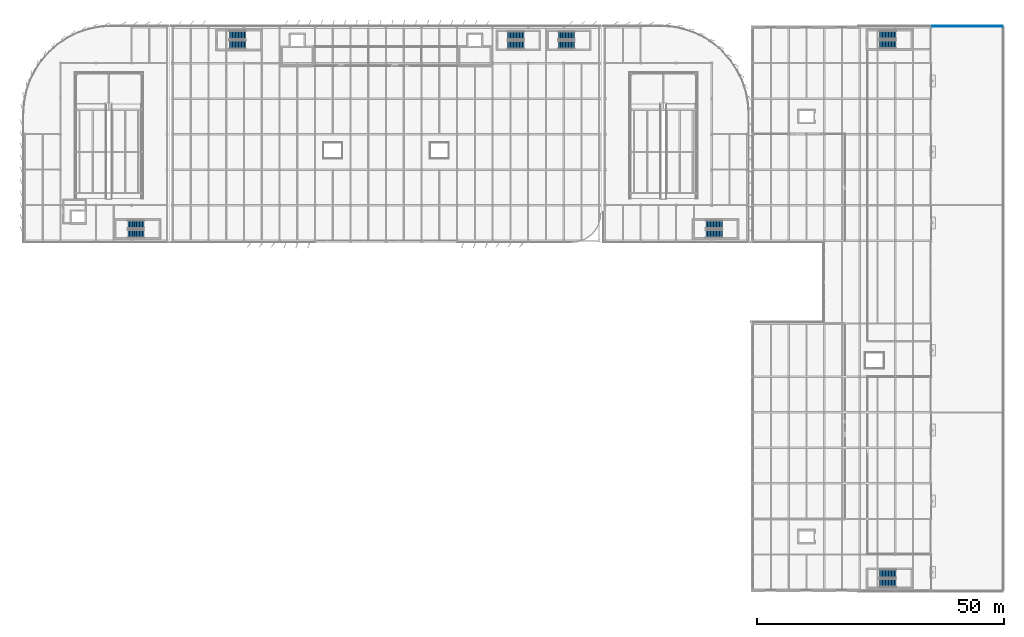
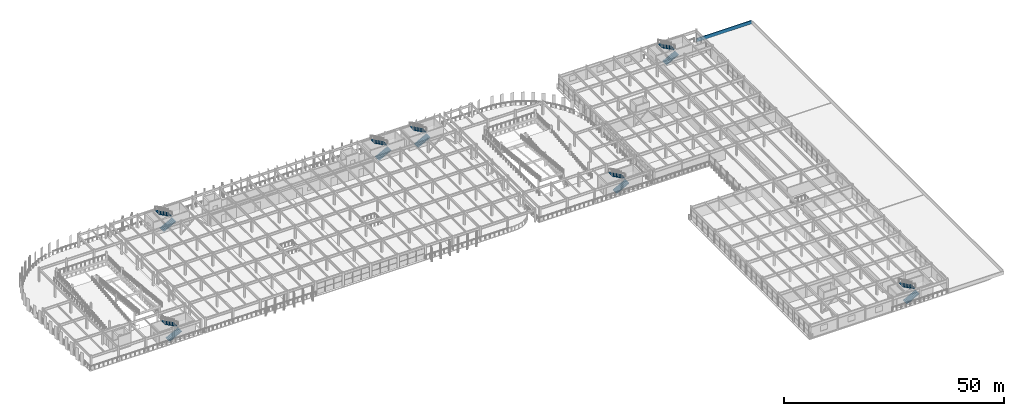
# One storey, part 57 of 80: 14 stair flights, 1 wall, 7 elements without a shape of their own.
"""IFC4 building model written with IfcOpenShell, lengths in metres."""

from ifc_helpers import new_model, si_unit, direction, frame, frame_2d, origin, place, context, subcontext, project, spatial, polyline, rectangle, outline, extrude, material, layer, layer_set, type_object, element, aggregate, save


model = new_model("IFC4")

# Units and contexts
model_context = context("Model", 3, precision=1e-05, world=origin(), true_north=direction((0.0, 1.0)))
body_context = subcontext(model_context, "Body", "Model", "MODEL_VIEW")
ifc_project = project(units=[si_unit("LENGTHUNIT", "METRE"), si_unit("AREAUNIT", "SQUARE_METRE"), si_unit("VOLUMEUNIT", "CUBIC_METRE"), si_unit("PLANEANGLEUNIT", "RADIAN"), si_unit("MASSUNIT", "GRAM", prefix="KILO")], contexts=[model_context])

# Site, building, storey
site_placement = place(None, origin())
site = spatial("IfcSite", under=ifc_project, at=site_placement, CompositionType="ELEMENT")
building_placement = place(site_placement, origin())
building = spatial("IfcBuilding", under=site, at=building_placement, Name="Vaelcorin Mobility Hub", CompositionType="ELEMENT")
storey_placement = place(building_placement, frame((0.0, 0.0, 9.300048828125)))
storey = spatial("IfcBuildingStorey", under=building, at=storey_placement, Name="L02", CompositionType="ELEMENT", Elevation=9.300048828125)

# Wall
ifc_material_1 = material(Name="Insulated exterior precast concrete C40/50", Category="concrete")
ifc_layer_1 = layer(ifc_material_1, 0.199951171875)
ifc_layer_set_1 = layer_set([ifc_layer_1], Name="Insulated exterior precast concrete C40/50")
wall_type = type_object("IfcWallType", Name="WL-PAR-200", PredefinedType="PARAPET", material=ifc_layer_set_1)
wall_placement = place(storey_placement, frame((189.85009765625, 120.25, 0.0), z_axis=(0.0, 0.0, 1.0), x_axis=(1.0, 0.0, 0.0)))
element("IfcWall", 1, at=wall_placement, inside=storey, type_object=wall_type, Name="L02 Exterior Wall PAR-V5E-N", PredefinedType="PARAPET", context=body_context, shape_type="SweptSolid", body=[
    extrude(rectangle(XDim=14.349853515625, YDim=0.199951171875, at=frame_2d((7.1748046875, 0.0))), origin(), (0.0, 0.0, 1.0), 0.949951171875),
])

# Stair, stair flights
ifc_material_2 = material(Name="Reinforced concrete f'c 45 MPa", Category="concrete")
stair_type_1 = type_object("IfcStairType", Name="STAIR-ST1", PredefinedType="HALF_TURN_STAIR", material=ifc_material_2)
stair_1_placement = place(storey_placement, origin())
stair_1 = element("IfcStair", 2, at=stair_1_placement, inside=storey, type_object=stair_type_1, Name="L02 Protected Exit Stair ST1", PredefinedType="HALF_TURN_STAIR")
ifc_layer_2 = layer(ifc_material_2, 0.2080078125)
ifc_layer_set_2 = layer_set([ifc_layer_2], Name="Reinforced concrete f'c 45 MPa")
stair_flight_type_1 = type_object("IfcStairFlightType", Name="FLT-ST1", PredefinedType="STRAIGHT", material=ifc_layer_set_2)
stair_flight_1_placement = place(storey_placement, frame((26.85009765625, 78.18994140625, 0.0), z_axis=(0.0, 0.0, 1.0), x_axis=(1.0, 0.0, 0.0)))
stair_flight_1 = element("IfcStairFlight", 3, at=stair_flight_1_placement, type_object=stair_flight_type_1, Name="ST1 flight 1", NumberOfRisers=12, NumberOfTreads=11, PredefinedType="STRAIGHT", RiserHeight=0.1625, TreadLength=0.3, context=body_context, shape_type="SweptSolid", body=[
    extrude(outline(polyline([(0.0, 0.0), (0.0, 0.16259765625), (0.300048828125, 0.16259765625), (0.300048828125, 0.324951171875), (0.60009765625, 0.324951171875), (0.60009765625, 0.487548828125), (0.89990234375, 0.487548828125), (0.89990234375, 0.64990234375), (1.199951171875, 0.64990234375), (1.199951171875, 0.8125), (1.5, 0.8125), (1.5, 0.97509765625), (1.800048828125, 0.97509765625), (1.800048828125, 1.137451171875), (2.10009765625, 1.137451171875), (2.10009765625, 1.300048828125), (2.39990234375, 1.300048828125), (2.39990234375, 1.46240234375), (2.699951171875, 1.46240234375), (2.699951171875, 1.625), (3.0, 1.625), (3.0, 1.78759765625), (3.300048828125, 1.78759765625), (3.300048828125, 1.949951171875), (3.300048828125, 1.605712890625), (0.335693359375, 0.0), (0.0, 0.0)])), frame((0.0, 0.83984375, 0.0), z_axis=(0.0, -1.0, 0.0), x_axis=(1.0, 0.0, 0.0)), (0.0, 0.0, 1.0), 1.679931640625),
])
stair_flight_2_placement = place(storey_placement, frame((30.14990234375, 80.070068359375, 1.949951171875), z_axis=(0.0, 0.0, 1.0), x_axis=(-1.0, 0.0, 0.0)))
stair_flight_2 = element("IfcStairFlight", 4, at=stair_flight_2_placement, type_object=stair_flight_type_1, Name="ST1 flight 2", NumberOfRisers=12, NumberOfTreads=11, PredefinedType="STRAIGHT", RiserHeight=0.1625, TreadLength=0.3, context=body_context, shape_type="SweptSolid", body=[
    extrude(outline(polyline([(0.0, 0.0), (0.0, 0.16259765625), (0.300048828125, 0.16259765625), (0.300048828125, 0.324951171875), (0.60009765625, 0.324951171875), (0.60009765625, 0.487548828125), (0.89990234375, 0.487548828125), (0.89990234375, 0.64990234375), (1.199951171875, 0.64990234375), (1.199951171875, 0.8125), (1.5, 0.8125), (1.5, 0.97509765625), (1.800048828125, 0.97509765625), (1.800048828125, 1.137451171875), (2.10009765625, 1.137451171875), (2.10009765625, 1.300048828125), (2.39990234375, 1.300048828125), (2.39990234375, 1.46240234375), (2.699951171875, 1.46240234375), (2.699951171875, 1.625), (3.0, 1.625), (3.0, 1.78759765625), (3.300048828125, 1.78759765625), (3.300048828125, 1.949951171875), (3.300048828125, 1.605712890625), (0.335693359375, 0.0), (0.0, 0.0)])), frame((0.0, 0.83984375, 0.0), z_axis=(0.0, -1.0, 0.0), x_axis=(1.0, 0.0, 0.0)), (0.0, 0.0, 1.0), 1.679931640625),
])
aggregate(stair_1, [stair_flight_1, stair_flight_2])

stair_type_2 = type_object("IfcStairType", Name="STAIR-ST2", PredefinedType="HALF_TURN_STAIR", material=ifc_material_2)
stair_2_placement = place(storey_placement, origin())
stair_2 = element("IfcStair", 5, at=stair_2_placement, inside=storey, type_object=stair_type_2, Name="L02 Protected Exit Stair ST2", PredefinedType="HALF_TURN_STAIR")
ifc_layer_3 = layer(ifc_material_2, 0.216064453125)
ifc_layer_set_3 = layer_set([ifc_layer_3], Name="Reinforced concrete f'c 45 MPa")
stair_flight_type_2 = type_object("IfcStairFlightType", Name="FLT-ST2", PredefinedType="STRAIGHT", material=ifc_layer_set_3)
stair_flight_3_placement = place(storey_placement, frame((144.050048828125, 78.18994140625, 0.0), z_axis=(0.0, 0.0, 1.0), x_axis=(1.0, 0.0, 0.0)))
stair_flight_3 = element("IfcStairFlight", 6, at=stair_flight_3_placement, type_object=stair_flight_type_2, Name="ST2 flight 1", NumberOfRisers=12, NumberOfTreads=11, PredefinedType="STRAIGHT", RiserHeight=0.1625, TreadLength=0.3, context=body_context, shape_type="SweptSolid", body=[
    extrude(outline(polyline([(0.0, 0.0), (0.0, 0.16259765625), (0.300048828125, 0.16259765625), (0.300048828125, 0.324951171875), (0.60009765625, 0.324951171875), (0.60009765625, 0.487548828125), (0.89990234375, 0.487548828125), (0.89990234375, 0.64990234375), (1.199951171875, 0.64990234375), (1.199951171875, 0.8125), (1.5, 0.8125), (1.5, 0.97509765625), (1.800048828125, 0.97509765625), (1.800048828125, 1.137451171875), (2.10009765625, 1.137451171875), (2.10009765625, 1.300048828125), (2.39990234375, 1.300048828125), (2.39990234375, 1.46240234375), (2.699951171875, 1.46240234375), (2.699951171875, 1.625), (3.0, 1.625), (3.0, 1.78759765625), (3.300048828125, 1.78759765625), (3.300048828125, 1.949951171875), (3.300048828125, 1.605712890625), (0.335693359375, 0.0), (0.0, 0.0)])), frame((0.0, 0.83984375, 0.0), z_axis=(0.0, -1.0, 0.0), x_axis=(1.0, 0.0, 0.0)), (0.0, 0.0, 1.0), 1.679931640625),
])
stair_flight_4_placement = place(storey_placement, frame((147.35009765625, 80.070068359375, 1.949951171875), z_axis=(0.0, 0.0, 1.0), x_axis=(-1.0, 0.0, 0.0)))
stair_flight_4 = element("IfcStairFlight", 7, at=stair_flight_4_placement, type_object=stair_flight_type_2, Name="ST2 flight 2", NumberOfRisers=12, NumberOfTreads=11, PredefinedType="STRAIGHT", RiserHeight=0.1625, TreadLength=0.3, context=body_context, shape_type="SweptSolid", body=[
    extrude(outline(polyline([(0.0, 0.0), (0.0, 0.16259765625), (0.300048828125, 0.16259765625), (0.300048828125, 0.324951171875), (0.60009765625, 0.324951171875), (0.60009765625, 0.487548828125), (0.89990234375, 0.487548828125), (0.89990234375, 0.64990234375), (1.199951171875, 0.64990234375), (1.199951171875, 0.8125), (1.5, 0.8125), (1.5, 0.97509765625), (1.800048828125, 0.97509765625), (1.800048828125, 1.137451171875), (2.10009765625, 1.137451171875), (2.10009765625, 1.300048828125), (2.39990234375, 1.300048828125), (2.39990234375, 1.46240234375), (2.699951171875, 1.46240234375), (2.699951171875, 1.625), (3.0, 1.625), (3.0, 1.78759765625), (3.300048828125, 1.78759765625), (3.300048828125, 1.949951171875), (3.300048828125, 1.605712890625), (0.335693359375, 0.0), (0.0, 0.0)])), frame((0.0, 0.83984375, 0.0), z_axis=(0.0, -1.0, 0.0), x_axis=(1.0, 0.0, 0.0)), (0.0, 0.0, 1.0), 1.679931640625),
])
aggregate(stair_2, [stair_flight_3, stair_flight_4])

stair_type_3 = type_object("IfcStairType", Name="STAIR-ST3", PredefinedType="HALF_TURN_STAIR", material=ifc_material_2)
stair_3_placement = place(storey_placement, origin())
stair_3 = element("IfcStair", 8, at=stair_3_placement, inside=storey, type_object=stair_type_3, Name="L02 Protected Exit Stair ST3", PredefinedType="HALF_TURN_STAIR")
ifc_layer_4 = layer(ifc_material_2, 0.22412109375)
ifc_layer_set_4 = layer_set([ifc_layer_4], Name="Reinforced concrete f'c 45 MPa")
stair_flight_type_3 = type_object("IfcStairFlightType", Name="FLT-ST3", PredefinedType="STRAIGHT", material=ifc_layer_set_4)
stair_flight_5_placement = place(storey_placement, frame((47.449951171875, 116.52001953125, 0.0), z_axis=(0.0, 0.0, 1.0), x_axis=(1.0, 0.0, 0.0)))
stair_flight_5 = element("IfcStairFlight", 9, at=stair_flight_5_placement, type_object=stair_flight_type_3, Name="ST3 flight 1", NumberOfRisers=12, NumberOfTreads=11, PredefinedType="STRAIGHT", RiserHeight=0.1625, TreadLength=0.3, context=body_context, shape_type="SweptSolid", body=[
    extrude(outline(polyline([(0.0, 0.0), (0.0, 0.16259765625), (0.300048828125, 0.16259765625), (0.300048828125, 0.324951171875), (0.60009765625, 0.324951171875), (0.60009765625, 0.487548828125), (0.89990234375, 0.487548828125), (0.89990234375, 0.64990234375), (1.199951171875, 0.64990234375), (1.199951171875, 0.8125), (1.5, 0.8125), (1.5, 0.97509765625), (1.800048828125, 0.97509765625), (1.800048828125, 1.137451171875), (2.10009765625, 1.137451171875), (2.10009765625, 1.300048828125), (2.39990234375, 1.300048828125), (2.39990234375, 1.46240234375), (2.699951171875, 1.46240234375), (2.699951171875, 1.625), (3.0, 1.625), (3.0, 1.78759765625), (3.300048828125, 1.78759765625), (3.300048828125, 1.949951171875), (3.300048828125, 1.605712890625), (0.335693359375, 0.0), (0.0, 0.0)])), frame((0.0, 0.8701171875, 0.0), z_axis=(0.0, -1.0, 0.0), x_axis=(1.0, 0.0, 0.0)), (0.0, 0.0, 1.0), 1.739990234375),
])
stair_flight_6_placement = place(storey_placement, frame((50.75, 118.4599609375, 1.949951171875), z_axis=(0.0, 0.0, 1.0), x_axis=(-1.0, 0.0, 0.0)))
stair_flight_6 = element("IfcStairFlight", 10, at=stair_flight_6_placement, type_object=stair_flight_type_3, Name="ST3 flight 2", NumberOfRisers=12, NumberOfTreads=11, PredefinedType="STRAIGHT", RiserHeight=0.1625, TreadLength=0.3, context=body_context, shape_type="SweptSolid", body=[
    extrude(outline(polyline([(0.0, 0.0), (0.0, 0.16259765625), (0.300048828125, 0.16259765625), (0.300048828125, 0.324951171875), (0.60009765625, 0.324951171875), (0.60009765625, 0.487548828125), (0.89990234375, 0.487548828125), (0.89990234375, 0.64990234375), (1.199951171875, 0.64990234375), (1.199951171875, 0.8125), (1.5, 0.8125), (1.5, 0.97509765625), (1.800048828125, 0.97509765625), (1.800048828125, 1.137451171875), (2.10009765625, 1.137451171875), (2.10009765625, 1.300048828125), (2.39990234375, 1.300048828125), (2.39990234375, 1.46240234375), (2.699951171875, 1.46240234375), (2.699951171875, 1.625), (3.0, 1.625), (3.0, 1.78759765625), (3.300048828125, 1.78759765625), (3.300048828125, 1.949951171875), (3.300048828125, 1.605712890625), (0.335693359375, 0.0), (0.0, 0.0)])), frame((0.0, 0.8701171875, 0.0), z_axis=(0.0, -1.0, 0.0), x_axis=(1.0, 0.0, 0.0)), (0.0, 0.0, 1.0), 1.739990234375),
])
aggregate(stair_3, [stair_flight_5, stair_flight_6])

stair_type_4 = type_object("IfcStairType", Name="STAIR-ST4", PredefinedType="HALF_TURN_STAIR", material=ifc_material_2)
stair_4_placement = place(storey_placement, origin())
stair_4 = element("IfcStair", 11, at=stair_4_placement, inside=storey, type_object=stair_type_4, Name="L02 Protected Exit Stair ST4", PredefinedType="HALF_TURN_STAIR")
ifc_layer_5 = layer(ifc_material_2, 0.23193359375)
ifc_layer_set_5 = layer_set([ifc_layer_5], Name="Reinforced concrete f'c 45 MPa")
stair_flight_type_4 = type_object("IfcStairFlightType", Name="FLT-ST4", PredefinedType="STRAIGHT", material=ifc_layer_set_5)
stair_flight_7_placement = place(storey_placement, frame((103.85009765625, 116.489990234375, 0.0), z_axis=(0.0, 0.0, 1.0), x_axis=(1.0, 0.0, 0.0)))
stair_flight_7 = element("IfcStairFlight", 12, at=stair_flight_7_placement, type_object=stair_flight_type_4, Name="ST4 flight 1", NumberOfRisers=12, NumberOfTreads=11, PredefinedType="STRAIGHT", RiserHeight=0.1625, TreadLength=0.3, context=body_context, shape_type="SweptSolid", body=[
    extrude(outline(polyline([(0.0, 0.0), (0.0, 0.16259765625), (0.300048828125, 0.16259765625), (0.300048828125, 0.324951171875), (0.60009765625, 0.324951171875), (0.60009765625, 0.487548828125), (0.89990234375, 0.487548828125), (0.89990234375, 0.64990234375), (1.199951171875, 0.64990234375), (1.199951171875, 0.8125), (1.5, 0.8125), (1.5, 0.97509765625), (1.800048828125, 0.97509765625), (1.800048828125, 1.137451171875), (2.10009765625, 1.137451171875), (2.10009765625, 1.300048828125), (2.39990234375, 1.300048828125), (2.39990234375, 1.46240234375), (2.699951171875, 1.46240234375), (2.699951171875, 1.625), (3.0, 1.625), (3.0, 1.78759765625), (3.300048828125, 1.78759765625), (3.300048828125, 1.949951171875), (3.300048828125, 1.605712890625), (0.335693359375, 0.0), (0.0, 0.0)])), frame((0.0, 0.83984375, 0.0), z_axis=(0.0, -1.0, 0.0), x_axis=(1.0, 0.0, 0.0)), (0.0, 0.0, 1.0), 1.679931640625),
])
stair_flight_8_placement = place(storey_placement, frame((107.14990234375, 118.3701171875, 1.949951171875), z_axis=(0.0, 0.0, 1.0), x_axis=(-1.0, 0.0, 0.0)))
stair_flight_8 = element("IfcStairFlight", 13, at=stair_flight_8_placement, type_object=stair_flight_type_4, Name="ST4 flight 2", NumberOfRisers=12, NumberOfTreads=11, PredefinedType="STRAIGHT", RiserHeight=0.1625, TreadLength=0.3, context=body_context, shape_type="SweptSolid", body=[
    extrude(outline(polyline([(0.0, 0.0), (0.0, 0.16259765625), (0.300048828125, 0.16259765625), (0.300048828125, 0.324951171875), (0.60009765625, 0.324951171875), (0.60009765625, 0.487548828125), (0.89990234375, 0.487548828125), (0.89990234375, 0.64990234375), (1.199951171875, 0.64990234375), (1.199951171875, 0.8125), (1.5, 0.8125), (1.5, 0.97509765625), (1.800048828125, 0.97509765625), (1.800048828125, 1.137451171875), (2.10009765625, 1.137451171875), (2.10009765625, 1.300048828125), (2.39990234375, 1.300048828125), (2.39990234375, 1.46240234375), (2.699951171875, 1.46240234375), (2.699951171875, 1.625), (3.0, 1.625), (3.0, 1.78759765625), (3.300048828125, 1.78759765625), (3.300048828125, 1.949951171875), (3.300048828125, 1.605712890625), (0.335693359375, 0.0), (0.0, 0.0)])), frame((0.0, 0.83984375, 0.0), z_axis=(0.0, -1.0, 0.0), x_axis=(1.0, 0.0, 0.0)), (0.0, 0.0, 1.0), 1.679931640625),
])
aggregate(stair_4, [stair_flight_7, stair_flight_8])

stair_type_5 = type_object("IfcStairType", Name="STAIR-ST5", PredefinedType="HALF_TURN_STAIR", material=ifc_material_2)
stair_5_placement = place(storey_placement, origin())
stair_5 = element("IfcStair", 14, at=stair_5_placement, inside=storey, type_object=stair_type_5, Name="L02 Protected Exit Stair ST5", PredefinedType="HALF_TURN_STAIR")
ifc_layer_6 = layer(ifc_material_2, 0.239990234375)
ifc_layer_set_6 = layer_set([ifc_layer_6], Name="Reinforced concrete f'c 45 MPa")
stair_flight_type_5 = type_object("IfcStairFlightType", Name="FLT-ST5", PredefinedType="STRAIGHT", material=ifc_layer_set_6)
stair_flight_9_placement = place(storey_placement, frame((179.25, 7.39990234375, 0.0), z_axis=(0.0, 0.0, 1.0), x_axis=(1.0, 0.0, 0.0)))
stair_flight_9 = element("IfcStairFlight", 15, at=stair_flight_9_placement, type_object=stair_flight_type_5, Name="ST5 flight 1", NumberOfRisers=12, NumberOfTreads=11, PredefinedType="STRAIGHT", RiserHeight=0.1625, TreadLength=0.3, context=body_context, shape_type="SweptSolid", body=[
    extrude(outline(polyline([(0.0, 0.0), (0.0, 0.16259765625), (0.300048828125, 0.16259765625), (0.300048828125, 0.324951171875), (0.60009765625, 0.324951171875), (0.60009765625, 0.487548828125), (0.89990234375, 0.487548828125), (0.89990234375, 0.64990234375), (1.199951171875, 0.64990234375), (1.199951171875, 0.8125), (1.5, 0.8125), (1.5, 0.97509765625), (1.800048828125, 0.97509765625), (1.800048828125, 1.137451171875), (2.10009765625, 1.137451171875), (2.10009765625, 1.300048828125), (2.39990234375, 1.300048828125), (2.39990234375, 1.46240234375), (2.699951171875, 1.46240234375), (2.699951171875, 1.625), (3.0, 1.625), (3.0, 1.78759765625), (3.300048828125, 1.78759765625), (3.300048828125, 1.949951171875), (3.300048828125, 1.605712890625), (0.335693359375, 0.0), (0.0, 0.0)])), frame((0.0, 0.85009765625, 0.0), z_axis=(0.0, -1.0, 0.0), x_axis=(1.0, 0.0, 0.0)), (0.0, 0.0, 1.0), 1.699951171875),
])
stair_flight_10_placement = place(storey_placement, frame((182.550048828125, 9.300048828125, 1.949951171875), z_axis=(0.0, 0.0, 1.0), x_axis=(-1.0, 0.0, 0.0)))
stair_flight_10 = element("IfcStairFlight", 16, at=stair_flight_10_placement, type_object=stair_flight_type_5, Name="ST5 flight 2", NumberOfRisers=12, NumberOfTreads=11, PredefinedType="STRAIGHT", RiserHeight=0.1625, TreadLength=0.3, context=body_context, shape_type="SweptSolid", body=[
    extrude(outline(polyline([(0.0, 0.0), (0.0, 0.16259765625), (0.300048828125, 0.16259765625), (0.300048828125, 0.324951171875), (0.60009765625, 0.324951171875), (0.60009765625, 0.487548828125), (0.89990234375, 0.487548828125), (0.89990234375, 0.64990234375), (1.199951171875, 0.64990234375), (1.199951171875, 0.8125), (1.5, 0.8125), (1.5, 0.97509765625), (1.800048828125, 0.97509765625), (1.800048828125, 1.137451171875), (2.10009765625, 1.137451171875), (2.10009765625, 1.300048828125), (2.39990234375, 1.300048828125), (2.39990234375, 1.46240234375), (2.699951171875, 1.46240234375), (2.699951171875, 1.625), (3.0, 1.625), (3.0, 1.78759765625), (3.300048828125, 1.78759765625), (3.300048828125, 1.949951171875), (3.300048828125, 1.605712890625), (0.335693359375, 0.0), (0.0, 0.0)])), frame((0.0, 0.85009765625, 0.0), z_axis=(0.0, -1.0, 0.0), x_axis=(1.0, 0.0, 0.0)), (0.0, 0.0, 1.0), 1.699951171875),
])
aggregate(stair_5, [stair_flight_9, stair_flight_10])

stair_type_6 = type_object("IfcStairType", Name="STAIR-ST6", PredefinedType="HALF_TURN_STAIR", material=ifc_material_2)
stair_6_placement = place(storey_placement, origin())
stair_6 = element("IfcStair", 17, at=stair_6_placement, inside=storey, type_object=stair_type_6, Name="L02 Protected Exit Stair ST6", PredefinedType="HALF_TURN_STAIR")
ifc_layer_7 = layer(ifc_material_2, 0.248046875)
ifc_layer_set_7 = layer_set([ifc_layer_7], Name="Reinforced concrete f'c 45 MPa")
stair_flight_type_6 = type_object("IfcStairFlightType", Name="FLT-ST6", PredefinedType="STRAIGHT", material=ifc_layer_set_7)
stair_flight_11_placement = place(storey_placement, frame((179.25, 116.60009765625, 0.0), z_axis=(0.0, 0.0, 1.0), x_axis=(1.0, 0.0, 0.0)))
stair_flight_11 = element("IfcStairFlight", 18, at=stair_flight_11_placement, type_object=stair_flight_type_6, Name="ST6 flight 1", NumberOfRisers=12, NumberOfTreads=11, PredefinedType="STRAIGHT", RiserHeight=0.1625, TreadLength=0.3, context=body_context, shape_type="SweptSolid", body=[
    extrude(outline(polyline([(0.0, 0.0), (0.0, 0.16259765625), (0.300048828125, 0.16259765625), (0.300048828125, 0.324951171875), (0.60009765625, 0.324951171875), (0.60009765625, 0.487548828125), (0.89990234375, 0.487548828125), (0.89990234375, 0.64990234375), (1.199951171875, 0.64990234375), (1.199951171875, 0.8125), (1.5, 0.8125), (1.5, 0.97509765625), (1.800048828125, 0.97509765625), (1.800048828125, 1.137451171875), (2.10009765625, 1.137451171875), (2.10009765625, 1.300048828125), (2.39990234375, 1.300048828125), (2.39990234375, 1.46240234375), (2.699951171875, 1.46240234375), (2.699951171875, 1.625), (3.0, 1.625), (3.0, 1.78759765625), (3.300048828125, 1.78759765625), (3.300048828125, 1.949951171875), (3.300048828125, 1.605712890625), (0.335693359375, 0.0), (0.0, 0.0)])), frame((0.0, 0.85009765625, 0.0), z_axis=(0.0, -1.0, 0.0), x_axis=(1.0, 0.0, 0.0)), (0.0, 0.0, 1.0), 1.699951171875),
])
stair_flight_12_placement = place(storey_placement, frame((182.550048828125, 118.5, 1.949951171875), z_axis=(0.0, 0.0, 1.0), x_axis=(-1.0, 0.0, 0.0)))
stair_flight_12 = element("IfcStairFlight", 19, at=stair_flight_12_placement, type_object=stair_flight_type_6, Name="ST6 flight 2", NumberOfRisers=12, NumberOfTreads=11, PredefinedType="STRAIGHT", RiserHeight=0.1625, TreadLength=0.3, context=body_context, shape_type="SweptSolid", body=[
    extrude(outline(polyline([(0.0, 0.0), (0.0, 0.16259765625), (0.300048828125, 0.16259765625), (0.300048828125, 0.324951171875), (0.60009765625, 0.324951171875), (0.60009765625, 0.487548828125), (0.89990234375, 0.487548828125), (0.89990234375, 0.64990234375), (1.199951171875, 0.64990234375), (1.199951171875, 0.8125), (1.5, 0.8125), (1.5, 0.97509765625), (1.800048828125, 0.97509765625), (1.800048828125, 1.137451171875), (2.10009765625, 1.137451171875), (2.10009765625, 1.300048828125), (2.39990234375, 1.300048828125), (2.39990234375, 1.46240234375), (2.699951171875, 1.46240234375), (2.699951171875, 1.625), (3.0, 1.625), (3.0, 1.78759765625), (3.300048828125, 1.78759765625), (3.300048828125, 1.949951171875), (3.300048828125, 1.605712890625), (0.335693359375, 0.0), (0.0, 0.0)])), frame((0.0, 0.85009765625, 0.0), z_axis=(0.0, -1.0, 0.0), x_axis=(1.0, 0.0, 0.0)), (0.0, 0.0, 1.0), 1.699951171875),
])
aggregate(stair_6, [stair_flight_11, stair_flight_12])

stair_type_7 = type_object("IfcStairType", Name="STAIR-ST9", PredefinedType="HALF_TURN_STAIR", material=ifc_material_2)
stair_7_placement = place(storey_placement, origin())
stair_7 = element("IfcStair", 20, at=stair_7_placement, inside=storey, type_object=stair_type_7, Name="L02 Protected Exit Stair ST9", PredefinedType="HALF_TURN_STAIR")
ifc_layer_8 = layer(ifc_material_2, 0.27197265625)
ifc_layer_set_8 = layer_set([ifc_layer_8], Name="Reinforced concrete f'c 45 MPa")
stair_flight_type_7 = type_object("IfcStairFlightType", Name="FLT-ST9", PredefinedType="STRAIGHT", material=ifc_layer_set_8)
stair_flight_13_placement = place(storey_placement, frame((114.10009765625, 116.489990234375, 0.0), z_axis=(0.0, 0.0, 1.0), x_axis=(1.0, 0.0, 0.0)))
stair_flight_13 = element("IfcStairFlight", 21, at=stair_flight_13_placement, type_object=stair_flight_type_7, Name="ST9 flight 1", NumberOfRisers=12, NumberOfTreads=11, PredefinedType="STRAIGHT", RiserHeight=0.1625, TreadLength=0.3, context=body_context, shape_type="SweptSolid", body=[
    extrude(outline(polyline([(0.0, 0.0), (0.0, 0.16259765625), (0.300048828125, 0.16259765625), (0.300048828125, 0.324951171875), (0.60009765625, 0.324951171875), (0.60009765625, 0.487548828125), (0.89990234375, 0.487548828125), (0.89990234375, 0.64990234375), (1.199951171875, 0.64990234375), (1.199951171875, 0.8125), (1.5, 0.8125), (1.5, 0.97509765625), (1.800048828125, 0.97509765625), (1.800048828125, 1.137451171875), (2.10009765625, 1.137451171875), (2.10009765625, 1.300048828125), (2.39990234375, 1.300048828125), (2.39990234375, 1.46240234375), (2.699951171875, 1.46240234375), (2.699951171875, 1.625), (3.0, 1.625), (3.0, 1.78759765625), (3.300048828125, 1.78759765625), (3.300048828125, 1.949951171875), (3.300048828125, 1.605712890625), (0.335693359375, 0.0), (0.0, 0.0)])), frame((0.0, 0.83984375, 0.0), z_axis=(0.0, -1.0, 0.0), x_axis=(1.0, 0.0, 0.0)), (0.0, 0.0, 1.0), 1.679931640625),
])
stair_flight_14_placement = place(storey_placement, frame((117.39990234375, 118.3701171875, 1.949951171875), z_axis=(0.0, 0.0, 1.0), x_axis=(-1.0, 0.0, 0.0)))
stair_flight_14 = element("IfcStairFlight", 22, at=stair_flight_14_placement, type_object=stair_flight_type_7, Name="ST9 flight 2", NumberOfRisers=12, NumberOfTreads=11, PredefinedType="STRAIGHT", RiserHeight=0.1625, TreadLength=0.3, context=body_context, shape_type="SweptSolid", body=[
    extrude(outline(polyline([(0.0, 0.0), (0.0, 0.16259765625), (0.300048828125, 0.16259765625), (0.300048828125, 0.324951171875), (0.60009765625, 0.324951171875), (0.60009765625, 0.487548828125), (0.89990234375, 0.487548828125), (0.89990234375, 0.64990234375), (1.199951171875, 0.64990234375), (1.199951171875, 0.8125), (1.5, 0.8125), (1.5, 0.97509765625), (1.800048828125, 0.97509765625), (1.800048828125, 1.137451171875), (2.10009765625, 1.137451171875), (2.10009765625, 1.300048828125), (2.39990234375, 1.300048828125), (2.39990234375, 1.46240234375), (2.699951171875, 1.46240234375), (2.699951171875, 1.625), (3.0, 1.625), (3.0, 1.78759765625), (3.300048828125, 1.78759765625), (3.300048828125, 1.949951171875), (3.300048828125, 1.605712890625), (0.335693359375, 0.0), (0.0, 0.0)])), frame((0.0, 0.83984375, 0.0), z_axis=(0.0, -1.0, 0.0), x_axis=(1.0, 0.0, 0.0)), (0.0, 0.0, 1.0), 1.679931640625),
])
aggregate(stair_7, [stair_flight_13, stair_flight_14])

save(model, "model.ifc")
